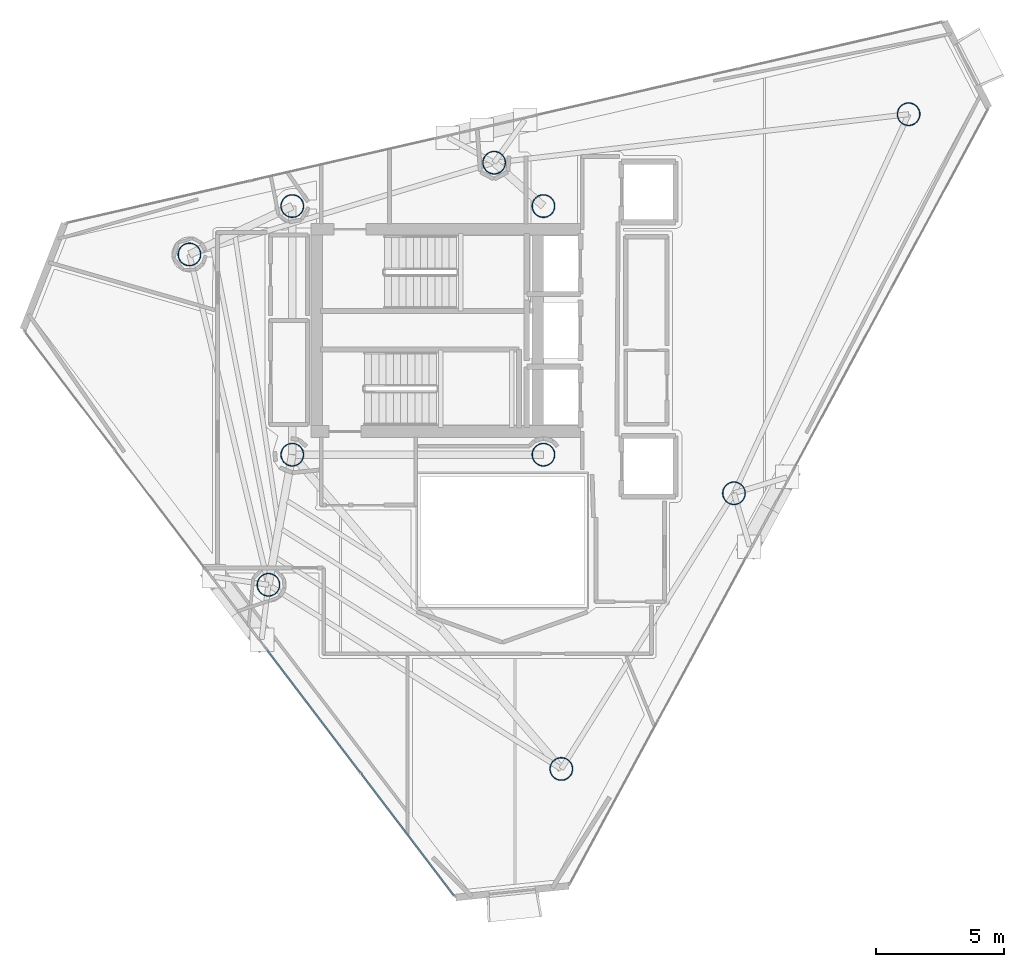
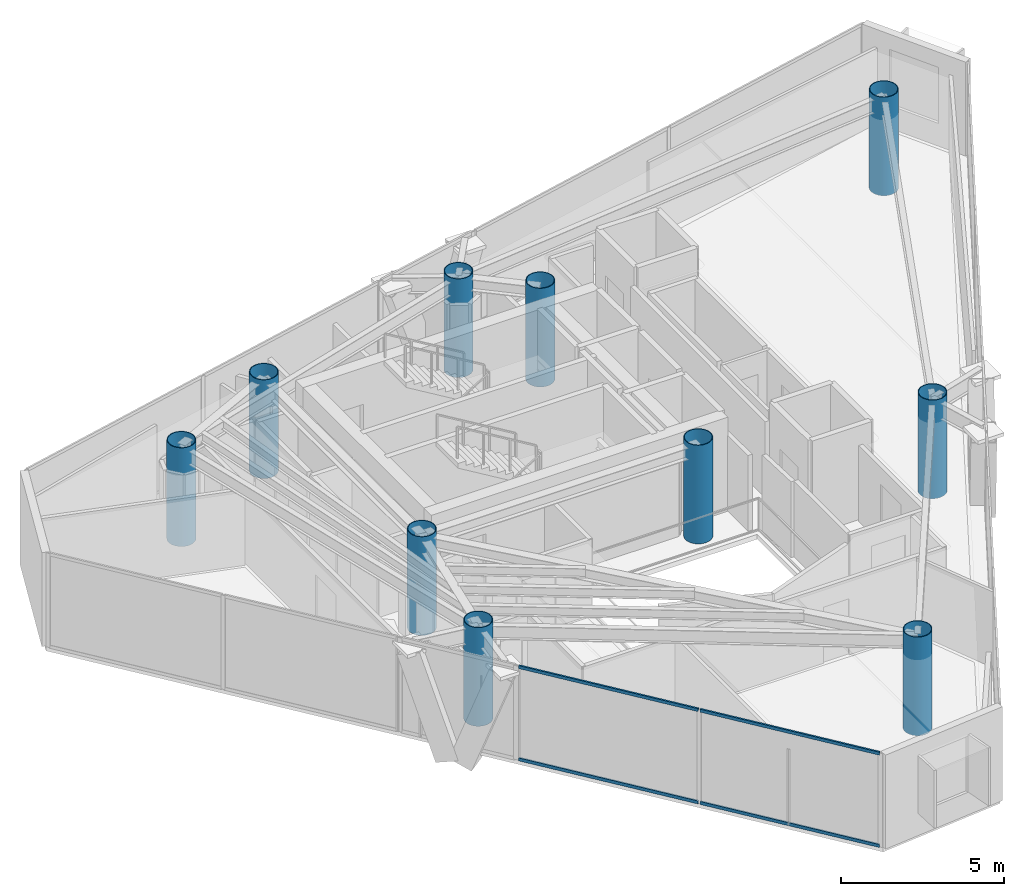
# One storey, part 1 of 24: 10 columns, 4 members, 1 element without a shape of its own.
"""IFC4 building model written with IfcOpenShell, lengths in metres."""

from ifc_helpers import new_model, si_unit, direction, frame, origin, origin_2d, place, context, subcontext, project, spatial, hollow_rectangle, hollow_circle, extrude, material, layer, layer_set, material_profile, profile_set, type_object, element, aggregate, save


model = new_model("IFC4")

# Units and contexts
model_context = context("Model", 3, precision=1e-05, world=origin(), true_north=direction((0.0, 1.0)))
body_context = subcontext(model_context, "Body", "Model", "MODEL_VIEW")
ifc_project = project(units=[si_unit("LENGTHUNIT", "METRE"), si_unit("AREAUNIT", "SQUARE_METRE"), si_unit("VOLUMEUNIT", "CUBIC_METRE"), si_unit("PLANEANGLEUNIT", "RADIAN"), si_unit("MASSUNIT", "GRAM", prefix="KILO")], contexts=[model_context])

# Site, building, storey
site_placement = place(None, origin())
site = spatial("IfcSite", under=ifc_project, at=site_placement, CompositionType="ELEMENT")
building_placement = place(site_placement, origin())
building = spatial("IfcBuilding", under=site, at=building_placement, Name="Qianvela Tower", CompositionType="ELEMENT")
storey_placement = place(building_placement, frame((0.0, 0.0, 306.5)))
storey = spatial("IfcBuildingStorey", under=building, at=storey_placement, Name="L79", CompositionType="ELEMENT", Elevation=306.5)

# Columns
ifc_material_1 = material(Name="Steel Q420GJC", Category="steel")
ifc_material_profile_1 = material_profile(ifc_material_1, hollow_circle(Radius=0.449951171875, WallThickness=0.02490234375, at=origin_2d()), Name="CFT-900x25")
ifc_profile_set_1 = profile_set([ifc_material_profile_1], Name="Steel Q420GJC")
column_type = type_object("IfcColumnType", Name="COL-CFT-900x25", PredefinedType="COLUMN", material=ifc_profile_set_1)
for number, where, z_axis, x_axis, name in (
    (1, (28.60009765625, 33.550048828125, 0.0), (0.0, 0.0, 1.0), (1.0, 0.0, 0.0), "L79 Core Corner Mega-Column CC-NW"),
    (2, (28.60009765625, 23.85009765625, 0.0), (0.0, 0.0, 1.0), (1.0, 0.0, 0.0), "L79 Core Corner Mega-Column CC-SW"),
    (3, (38.39990234375, 33.550048828125, 0.0), (0.0, 0.0, 1.0), (1.0, 0.0, 0.0), "L79 Core Corner Mega-Column CC-NE"),
    (4, (38.39990234375, 23.85009765625, 0.0), (0.0, 0.0, 1.0), (1.0, 0.0, 0.0), "L79 Core Corner Mega-Column CC-SE"),
    (5, (52.64794921875, 37.135009765625, 0.0), (0.0, 0.0, 1.0), (1.0, 0.0, 0.0), "L79 Zone Z7 CFT Mega-Column C1"),
    (6, (36.47607421875, 35.242919921875, 0.0), (0.0, 0.0, 1.0), (1.0, 0.0, 0.0), "L79 Zone Z7 CFT Mega-Column C2"),
    (7, (24.5869140625, 31.6630859375, 0.0), (0.0, 0.0, 1.0), (1.0, 0.0, 0.0), "L79 Zone Z7 CFT Mega-Column C3"),
    (8, (27.669921875, 18.77392578125, 0.0), (0.0, 0.0, 1.0), (1.0, 0.0, 0.0), "L79 Zone Z7 CFT Mega-Column C4"),
    (9, (39.095947265625, 11.587890625, 0.0), (0.0, 0.0, 1.0), (1.0, 0.0, 0.0), "L79 Zone Z7 CFT Mega-Column C5"),
    (10, (45.833984375, 22.344970703125, 0.0), (0.0, 0.0, 1.0), (1.0, 0.0, 0.0), "L79 Zone Z7 CFT Mega-Column C6"),
):
    element("IfcColumn", number, at=place(storey_placement, frame(where, z_axis=z_axis, x_axis=x_axis)), inside=storey, type_object=column_type, Name=name, PredefinedType="COLUMN", context=body_context, shape_type="SweptSolid", body=[
        extrude(hollow_circle(Radius=0.449951171875, WallThickness=0.02490234375, at=origin_2d()), origin(), (0.0, 0.0, 1.0), 3.699951171875),
    ])

# Curtain wall, members
ifc_material_2 = material(Name="Anodised Architectural Aluminium and Low-E Glass", Category="aluminium")
ifc_layer = layer(ifc_material_2, 0.14990234375)
ifc_layer_set = layer_set([ifc_layer], Name="Anodised Architectural Aluminium and Low-E Glass")
curtain_wall_type = type_object("IfcCurtainWallType", Name="CW-COLIV-Z78", PredefinedType="USERDEFINED", material=ifc_layer_set)
curtain_wall_placement = place(storey_placement, origin())
curtain_wall = element("IfcCurtainWall", 11, at=curtain_wall_placement, inside=storey, type_object=curtain_wall_type, Name="L79 CW-COLIV-Z78 Curtain Wall 04C", ObjectType="CURTAIN_WALL_SYSTEM", PredefinedType="USERDEFINED")
ifc_material_3 = material(Name="Anodised Architectural Aluminium 6063-T6", Category="aluminium")
ifc_material_profile_2 = material_profile(ifc_material_3, hollow_rectangle(XDim=0.06005859375, YDim=0.114990234375, WallThickness=0.00390625, at=origin_2d()), Name="ALU-TRAN-60x115")
ifc_profile_set_2 = profile_set([ifc_material_profile_2], Name="Anodised Architectural Aluminium 6063-T6")
member_type = type_object("IfcMemberType", Name="CW-COLIV-Z78-TRAN", PredefinedType="USERDEFINED", material=ifc_profile_set_2)
member_1_placement = place(storey_placement, frame((27.637451171875, 16.208740234375, 0.030029296875), z_axis=(0.605706964905, -0.795687798489, 0.0), x_axis=(0.795687798489, 0.605706964905, 0.0)))
member_1 = element("IfcMember", 12, at=member_1_placement, type_object=member_type, Name="CW-6 transom 1.1", ObjectType="TRANSOM", PredefinedType="USERDEFINED", context=body_context, shape_type="SweptSolid", body=[
    extrude(hollow_rectangle(XDim=0.06005859375, YDim=0.114990234375, WallThickness=0.00390625, at=origin_2d()), origin(), (0.0, 0.0, 1.0), 5.97314453125),
])
member_2_placement = place(storey_placement, frame((27.637451171875, 16.208740234375, 3.489990234375), z_axis=(0.605706964905, -0.795687798489, 0.0), x_axis=(0.795687798489, 0.605706964905, 0.0)))
member_2 = element("IfcMember", 13, at=member_2_placement, type_object=member_type, Name="CW-6 transom 1.2", ObjectType="TRANSOM", PredefinedType="USERDEFINED", context=body_context, shape_type="SweptSolid", body=[
    extrude(hollow_rectangle(XDim=0.06005859375, YDim=0.114990234375, WallThickness=0.00390625, at=origin_2d()), origin(), (0.0, 0.0, 1.0), 5.97314453125),
])
member_3_placement = place(storey_placement, frame((31.291748046875, 11.408447265625, 0.030029296875), z_axis=(0.605706964905, -0.795687798489, 0.0), x_axis=(0.795687798489, 0.605706964905, 0.0)))
member_3 = element("IfcMember", 14, at=member_3_placement, type_object=member_type, Name="CW-6 transom 2.1", ObjectType="TRANSOM", PredefinedType="USERDEFINED", context=body_context, shape_type="SweptSolid", body=[
    extrude(hollow_rectangle(XDim=0.06005859375, YDim=0.114990234375, WallThickness=0.00390625, at=origin_2d()), origin(), (0.0, 0.0, 1.0), 5.97314453125),
])
member_4_placement = place(storey_placement, frame((31.291748046875, 11.408447265625, 3.489990234375), z_axis=(0.605706964905, -0.795687798489, 0.0), x_axis=(0.795687798489, 0.605706964905, 0.0)))
member_4 = element("IfcMember", 15, at=member_4_placement, type_object=member_type, Name="CW-6 transom 2.2", ObjectType="TRANSOM", PredefinedType="USERDEFINED", context=body_context, shape_type="SweptSolid", body=[
    extrude(hollow_rectangle(XDim=0.06005859375, YDim=0.114990234375, WallThickness=0.00390625, at=origin_2d()), origin(), (0.0, 0.0, 1.0), 5.97314453125),
])
aggregate(curtain_wall, [member_1, member_2, member_3, member_4])

save(model, "model.ifc")
